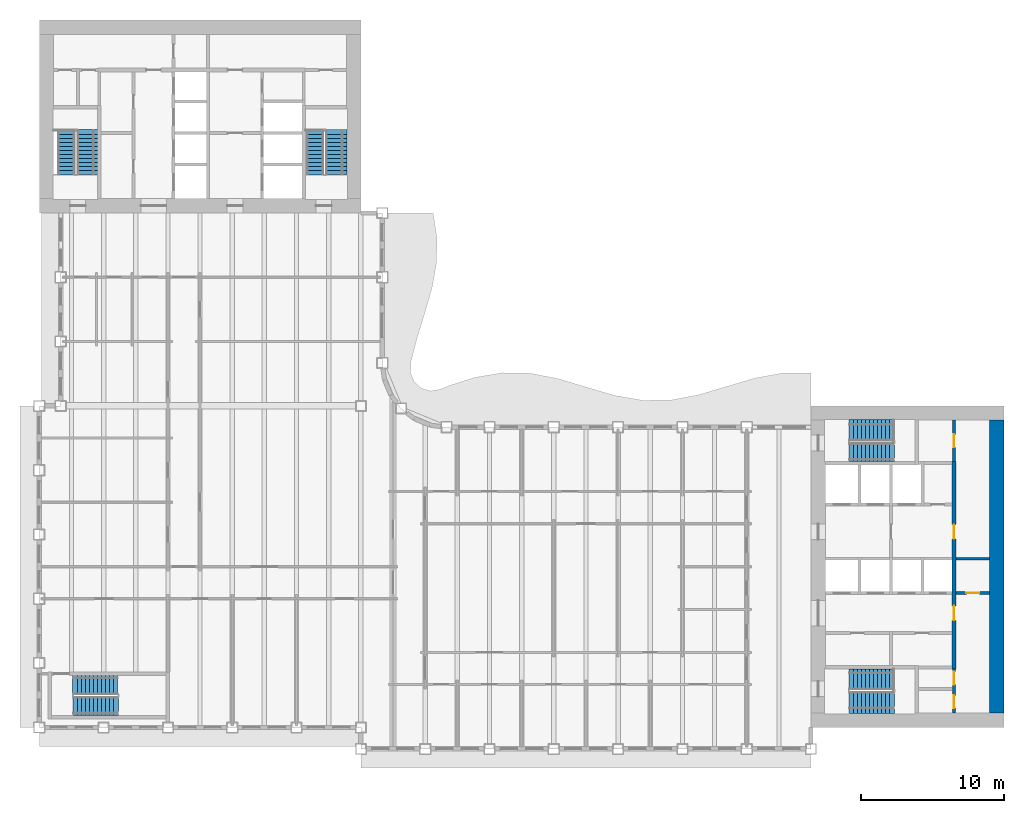
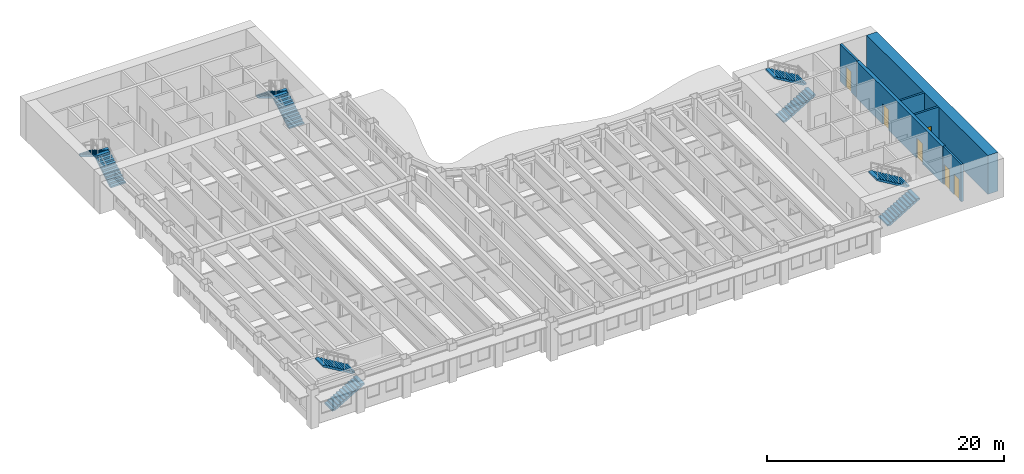
# One storey, part 11 of 17: 10 stair flights, 6 doors, 6 walls, 6 openings, 5 elements without a shape of their own.
"""IFC4 building model written with IfcOpenShell, lengths in metres."""

from ifc_helpers import new_model, si_unit, direction, frame, frame_2d, origin, place, context, subcontext, project, spatial, polyline, rectangle, outline, extrude, material, layer, layer_set, type_object, element, fill, aggregate, save


model = new_model("IFC4")

# Units and contexts
model_context = context("Model", 3, precision=1e-05, world=origin(), true_north=direction((0.0, 1.0)))
body_context = subcontext(model_context, "Body", "Model", "MODEL_VIEW")
ifc_project = project(units=[si_unit("LENGTHUNIT", "METRE"), si_unit("AREAUNIT", "SQUARE_METRE"), si_unit("VOLUMEUNIT", "CUBIC_METRE"), si_unit("PLANEANGLEUNIT", "RADIAN"), si_unit("MASSUNIT", "GRAM", prefix="KILO")], contexts=[model_context])

# Site, building, storey
site_placement = place(None, origin())
site = spatial("IfcSite", under=ifc_project, at=site_placement, CompositionType="ELEMENT")
building_placement = place(site_placement, origin())
building = spatial("IfcBuilding", under=site, at=building_placement, Name="Sennacour Bend Tower", CompositionType="ELEMENT")
storey_placement = place(building_placement, frame((0.0, 0.0, 203.0)))
storey = spatial("IfcBuildingStorey", under=building, at=storey_placement, Name="L46", CompositionType="ELEMENT", Elevation=203.0)

# Wall
ifc_material_1 = material(Name="Concrete C60/75", Category="concrete")
ifc_layer_1 = layer(ifc_material_1, 1.0, Name="Concrete C60/75", Category="concrete")
ifc_layer_set_1 = layer_set([ifc_layer_1], Name="Concrete C60/75")
wall_type_1 = type_object("IfcWallType", Name="Core wall 1000 C60/75", PredefinedType="SHEAR", material=ifc_layer_set_1)
wall_1_placement = place(storey_placement, frame((67.0, 1.0, -0.14990234375), z_axis=(0.0, 0.0, 1.0), x_axis=(0.0, 1.0, 0.0)))
element("IfcWall", 1, at=wall_1_placement, inside=storey, type_object=wall_type_1, Name="Core A wall L46 E", PredefinedType="SHEAR", context=body_context, shape_type="SweptSolid", body=[
    extrude(rectangle(XDim=20.5, YDim=1.0, at=frame_2d((10.25, 0.0))), origin(), (0.0, 0.0, 1.0), 4.0),
])

# Wall, openings, doors
ifc_material_2 = material(Name="Fire-rated plasterboard partition on steel studs", Category="steel")
ifc_layer_2 = layer(ifc_material_2, 0.199951171875, Name="Fire-rated plasterboard partition on steel studs", Category="steel")
ifc_layer_set_2 = layer_set([ifc_layer_2], Name="Fire-rated plasterboard partition on steel studs")
wall_type_2 = type_object("IfcWallType", Name="Rated partition 200", PredefinedType="PARTITIONING", material=ifc_layer_set_2)
wall_2_placement = place(storey_placement, frame((64.0, 1.0, 0.0), z_axis=(0.0, 0.0, 1.0), x_axis=(0.0, 1.0, 0.0)))
wall_2 = element("IfcWall", 2, at=wall_2_placement, inside=storey, type_object=wall_type_2, Name="P-L46-W052", PredefinedType="PARTITIONING", context=body_context, shape_type="SweptSolid", body=[
    extrude(rectangle(XDim=3.10009765625, YDim=0.199951171875, at=frame_2d((1.550048828125, 0.0))), origin(), (0.0, 0.0, 1.0), 3.85009765625),
])
opening_1_placement = place(wall_2_placement, frame((0.35009765625, 0.0, 0.0)))
opening_1 = element("IfcOpeningElement", 3, at=opening_1_placement, cuts=wall_2, Name="Opening SV", PredefinedType="OPENING", context=body_context, shape_type="SweptSolid", body=[
    extrude(rectangle(XDim=0.89990234375, YDim=2.10009765625, at=frame_2d((0.449951171875, 1.050048828125))), frame((0.0, 0.10986328125, 0.0), z_axis=(0.0, -1.0, 0.0), x_axis=(1.0, 0.0, 0.0)), (0.0, 0.0, 1.0), 0.219970703125),
])
opening_2_placement = place(wall_2_placement, frame((2.0, 0.0, 0.0)))
opening_2 = element("IfcOpeningElement", 4, at=opening_2_placement, cuts=wall_2, Name="Opening SV", PredefinedType="OPENING", context=body_context, shape_type="SweptSolid", body=[
    extrude(rectangle(XDim=0.89990234375, YDim=2.10009765625, at=frame_2d((0.449951171875, 1.050048828125))), frame((0.0, 0.10986328125, 0.0), z_axis=(0.0, -1.0, 0.0), x_axis=(1.0, 0.0, 0.0)), (0.0, 0.0, 1.0), 0.219970703125),
])
ifc_material_3 = material(Name="Painted steel", Category="steel")
door_type_1 = type_object("IfcDoorType", Name="DR-SERVICE-900", OperationType="NOTDEFINED", PredefinedType="DOOR", material=ifc_material_3)
door_1_placement = place(opening_1_placement, origin())
door_1 = element("IfcDoor", 5, at=door_1_placement, inside=storey, type_object=door_type_1, Name="Door", OperationType="SINGLE_SWING_LEFT", OverallHeight=2.10009765625, OverallWidth=0.89990234375, PredefinedType="DOOR", context=body_context, shape_type="SweptSolid", body=[
    extrude(rectangle(XDim=0.89990234375, YDim=2.10009765625, at=frame_2d((0.449951171875, 1.050048828125))), frame((0.0, 0.02490234375, 0.0), z_axis=(0.0, -1.0, 0.0), x_axis=(1.0, 0.0, 0.0)), (0.0, 0.0, 1.0), 0.050048828125),
])
fill(opening_1, door_1)
door_2_placement = place(opening_2_placement, origin())
door_2 = element("IfcDoor", 6, at=door_2_placement, inside=storey, type_object=door_type_1, Name="Door", OperationType="SINGLE_SWING_RIGHT", OverallHeight=2.10009765625, OverallWidth=0.89990234375, PredefinedType="DOOR", context=body_context, shape_type="SweptSolid", body=[
    extrude(rectangle(XDim=0.89990234375, YDim=2.10009765625, at=frame_2d((0.449951171875, 1.050048828125))), frame((0.0, 0.02490234375, 0.0), z_axis=(0.0, -1.0, 0.0), x_axis=(1.0, 0.0, 0.0)), (0.0, 0.0, 1.0), 0.050048828125),
])
fill(opening_2, door_2)

# Wall, opening, door
wall_3_placement = place(storey_placement, frame((64.0, 18.60009765625, 0.0), z_axis=(0.0, 0.0, 1.0), x_axis=(0.0, 1.0, 0.0)))
wall_3 = element("IfcWall", 7, at=wall_3_placement, inside=storey, type_object=wall_type_2, Name="P-L46-W054", PredefinedType="PARTITIONING", context=body_context, shape_type="SweptSolid", body=[
    extrude(rectangle(XDim=2.89990234375, YDim=0.199951171875, at=frame_2d((1.449951171875, 0.0))), origin(), (0.0, 0.0, 1.0), 3.85009765625),
])
opening_3_placement = place(wall_3_placement, frame((1.0, 0.0, 0.0)))
opening_3 = element("IfcOpeningElement", 8, at=opening_3_placement, cuts=wall_3, Name="Opening WD", PredefinedType="OPENING", context=body_context, shape_type="SweptSolid", body=[
    extrude(rectangle(XDim=0.89990234375, YDim=2.10009765625, at=frame_2d((0.449951171875, 1.050048828125))), frame((0.0, 0.10986328125, 0.0), z_axis=(0.0, -1.0, 0.0), x_axis=(1.0, 0.0, 0.0)), (0.0, 0.0, 1.0), 0.219970703125),
])
ifc_material_4 = material(Name="Timber", Category="wood")
door_type_2 = type_object("IfcDoorType", Name="DR-WC-900", OperationType="NOTDEFINED", PredefinedType="DOOR", material=ifc_material_4)
door_3_placement = place(opening_3_placement, origin())
door_3 = element("IfcDoor", 9, at=door_3_placement, inside=storey, type_object=door_type_2, Name="Door", OperationType="SINGLE_SWING_LEFT", OverallHeight=2.10009765625, OverallWidth=0.89990234375, PredefinedType="DOOR", context=body_context, shape_type="SweptSolid", body=[
    extrude(rectangle(XDim=0.89990234375, YDim=2.10009765625, at=frame_2d((0.449951171875, 1.050048828125))), frame((0.0, 0.02490234375, 0.0), z_axis=(0.0, -1.0, 0.0), x_axis=(1.0, 0.0, 0.0)), (0.0, 0.0, 1.0), 0.050048828125),
])
fill(opening_3, door_3)

wall_4_placement = place(storey_placement, frame((64.14990234375, 9.39990234375, 0.0), z_axis=(0.0, 0.0, 1.0), x_axis=(1.0, 0.0, 0.0)))
wall_4 = element("IfcWall", 10, at=wall_4_placement, inside=storey, type_object=wall_type_2, Name="P-L46-W068", PredefinedType="PARTITIONING", context=body_context, shape_type="SweptSolid", body=[
    extrude(rectangle(XDim=2.35009765625, YDim=0.199951171875, at=frame_2d((1.175048828125, 0.0))), origin(), (0.0, 0.0, 1.0), 3.85009765625),
])
opening_4_placement = place(wall_4_placement, frame((0.72509765625, 0.0, 0.0)))
opening_4 = element("IfcOpeningElement", 11, at=opening_4_placement, cuts=wall_4, Name="Opening SV", PredefinedType="OPENING", context=body_context, shape_type="SweptSolid", body=[
    extrude(rectangle(XDim=0.89990234375, YDim=2.10009765625, at=frame_2d((0.449951171875, 1.050048828125))), frame((0.0, 0.10986328125, 0.0), z_axis=(0.0, -1.0, 0.0), x_axis=(1.0, 0.0, 0.0)), (0.0, 0.0, 1.0), 0.219970703125),
])
door_4_placement = place(opening_4_placement, origin())
door_4 = element("IfcDoor", 12, at=door_4_placement, inside=storey, type_object=door_type_1, Name="Door", OperationType="SINGLE_SWING_LEFT", OverallHeight=2.10009765625, OverallWidth=0.89990234375, PredefinedType="DOOR", context=body_context, shape_type="SweptSolid", body=[
    extrude(rectangle(XDim=0.89990234375, YDim=2.10009765625, at=frame_2d((0.449951171875, 1.050048828125))), frame((0.0, 0.02490234375, 0.0), z_axis=(0.0, -1.0, 0.0), x_axis=(1.0, 0.0, 0.0)), (0.0, 0.0, 1.0), 0.050048828125),
])
fill(opening_4, door_4)

# Wall
wall_5_placement = place(storey_placement, frame((64.14990234375, 11.800048828125, 0.0), z_axis=(0.0, 0.0, 1.0), x_axis=(1.0, 0.0, 0.0)))
element("IfcWall", 13, at=wall_5_placement, inside=storey, type_object=wall_type_2, Name="P-L46-W072", PredefinedType="PARTITIONING", context=body_context, shape_type="SweptSolid", body=[
    extrude(rectangle(XDim=2.35009765625, YDim=0.199951171875, at=frame_2d((1.175048828125, 0.0))), origin(), (0.0, 0.0, 1.0), 3.85009765625),
])

# Wall, openings, doors
ifc_layer_3 = layer(ifc_material_1, 0.300048828125, Name="Concrete C60/75", Category="concrete")
ifc_layer_set_3 = layer_set([ifc_layer_3], Name="Concrete C60/75")
wall_type_3 = type_object("IfcWallType", Name="Spine wall 300", PredefinedType="SHEAR", material=ifc_layer_set_3)
wall_6_placement = place(storey_placement, frame((64.0, 4.10009765625, 0.0), z_axis=(0.0, 0.0, 1.0), x_axis=(0.0, 1.0, 0.0)))
wall_6 = element("IfcWall", 14, at=wall_6_placement, inside=storey, type_object=wall_type_3, Name="P-L46-W053", PredefinedType="SHEAR", context=body_context, shape_type="SweptSolid", body=[
    extrude(rectangle(XDim=14.5, YDim=0.300048828125, at=frame_2d((7.25, 0.0))), origin(), (0.0, 0.0, 1.0), 3.85009765625),
])
opening_5_placement = place(wall_6_placement, frame((3.39990234375, 0.0, 0.0)))
opening_5 = element("IfcOpeningElement", 15, at=opening_5_placement, cuts=wall_6, Name="Opening CD2", PredefinedType="OPENING", context=body_context, shape_type="SweptSolid", body=[
    extrude(rectangle(XDim=1.0, YDim=2.10009765625, at=frame_2d((0.5, 1.050048828125))), frame((0.0, 0.16015625, 0.0), z_axis=(0.0, -1.0, 0.0), x_axis=(1.0, 0.0, 0.0)), (0.0, 0.0, 1.0), 0.320068359375),
])
opening_6_placement = place(wall_6_placement, frame((9.099853515625, 0.0, 0.0)))
opening_6 = element("IfcOpeningElement", 16, at=opening_6_placement, cuts=wall_6, Name="Opening CD2", PredefinedType="OPENING", context=body_context, shape_type="SweptSolid", body=[
    extrude(rectangle(XDim=1.0, YDim=2.10009765625, at=frame_2d((0.5, 1.050048828125))), frame((0.0, 0.16015625, 0.0), z_axis=(0.0, -1.0, 0.0), x_axis=(1.0, 0.0, 0.0)), (0.0, 0.0, 1.0), 0.320068359375),
])
door_type_3 = type_object("IfcDoorType", Name="DR-LOBBY-1000", OperationType="NOTDEFINED", PredefinedType="DOOR", material=ifc_material_3)
door_5_placement = place(opening_5_placement, origin())
door_5 = element("IfcDoor", 17, at=door_5_placement, inside=storey, type_object=door_type_3, Name="Door", OperationType="SINGLE_SWING_LEFT", OverallHeight=2.10009765625, OverallWidth=1.0, PredefinedType="DOOR", context=body_context, shape_type="SweptSolid", body=[
    extrude(rectangle(XDim=1.0, YDim=2.10009765625, at=frame_2d((0.5, 1.050048828125))), frame((0.0, 0.02490234375, 0.0), z_axis=(0.0, -1.0, 0.0), x_axis=(1.0, 0.0, 0.0)), (0.0, 0.0, 1.0), 0.050048828125),
])
fill(opening_5, door_5)
door_6_placement = place(opening_6_placement, origin())
door_6 = element("IfcDoor", 18, at=door_6_placement, inside=storey, type_object=door_type_3, Name="Door", OperationType="SINGLE_SWING_RIGHT", OverallHeight=2.10009765625, OverallWidth=1.0, PredefinedType="DOOR", context=body_context, shape_type="SweptSolid", body=[
    extrude(rectangle(XDim=1.0, YDim=2.10009765625, at=frame_2d((0.5, 1.050048828125))), frame((0.0, 0.02490234375, 0.0), z_axis=(0.0, -1.0, 0.0), x_axis=(1.0, 0.0, 0.0)), (0.0, 0.0, 1.0), 0.050048828125),
])
fill(opening_6, door_6)

# Stair, stair flights
ifc_material_5 = material(Name="Concrete C40/50", Category="concrete")
stair_type = type_object("IfcStairType", Name="ST-DOGLEG", PredefinedType="HALF_TURN_STAIR", material=ifc_material_5)
stair_1_placement = place(storey_placement, origin())
stair_1 = element("IfcStair", 19, at=stair_1_placement, inside=storey, type_object=stair_type, Name="L46 Exit stair A1", PredefinedType="HALF_TURN_STAIR")
stair_flight_type = type_object("IfcStairFlightType", Name="SFL-RC", PredefinedType="STRAIGHT", material=ifc_material_5)
stair_flight_1_placement = place(storey_placement, frame((56.699951171875, 1.735107421875, 0.0), z_axis=(0.0, 0.0, 1.0), x_axis=(1.0, 0.0, 0.0)))
stair_flight_1 = element("IfcStairFlight", 20, at=stair_flight_1_placement, type_object=stair_flight_type, Name="SA1 flight 1", NumberOfRisers=12, NumberOfTreads=11, PredefinedType="STRAIGHT", RiserHeight=0.166666667, TreadLength=0.28, context=body_context, shape_type="SweptSolid", body=[
    extrude(outline(polyline([(0.0, 0.0), (0.0, 0.166748046875), (0.280029296875, 0.166748046875), (0.280029296875, 0.333251953125), (0.56005859375, 0.333251953125), (0.56005859375, 0.5), (0.840087890625, 0.5), (0.840087890625, 0.666748046875), (1.1201171875, 0.666748046875), (1.1201171875, 0.833251953125), (1.39990234375, 0.833251953125), (1.39990234375, 1.0), (1.679931640625, 1.0), (1.679931640625, 1.166748046875), (1.9599609375, 1.166748046875), (1.9599609375, 1.333251953125), (2.239990234375, 1.333251953125), (2.239990234375, 1.5), (2.52001953125, 1.5), (2.52001953125, 1.666748046875), (2.800048828125, 1.666748046875), (2.800048828125, 1.833251953125), (3.080078125, 1.833251953125), (3.139892578125, 1.833251953125), (3.139892578125, 1.658935546875), (3.080078125, 1.658935546875), (0.29296875, 0.0), (0.0, 0.0)])), frame((0.0, 0.76513671875, 0.0), z_axis=(0.0, -1.0, 0.0), x_axis=(1.0, 0.0, 0.0)), (0.0, 0.0, 1.0), 1.530029296875),
])
stair_flight_2_placement = place(storey_placement, frame((59.780029296875, 3.37744140625, 2.0), z_axis=(0.0, 0.0, 1.0), x_axis=(-1.0, 0.0, 0.0)))
stair_flight_2 = element("IfcStairFlight", 21, at=stair_flight_2_placement, type_object=stair_flight_type, Name="SA1 flight 2", NumberOfRisers=12, NumberOfTreads=11, PredefinedType="STRAIGHT", RiserHeight=0.166666667, TreadLength=0.28, context=body_context, shape_type="SweptSolid", body=[
    extrude(outline(polyline([(0.0, 0.0), (0.0, 0.166748046875), (0.280029296875, 0.166748046875), (0.280029296875, 0.333251953125), (0.56005859375, 0.333251953125), (0.56005859375, 0.5), (0.840087890625, 0.5), (0.840087890625, 0.666748046875), (1.1201171875, 0.666748046875), (1.1201171875, 0.833251953125), (1.39990234375, 0.833251953125), (1.39990234375, 1.0), (1.679931640625, 1.0), (1.679931640625, 1.166748046875), (1.9599609375, 1.166748046875), (1.9599609375, 1.333251953125), (2.239990234375, 1.333251953125), (2.239990234375, 1.5), (2.52001953125, 1.5), (2.52001953125, 1.666748046875), (2.800048828125, 1.666748046875), (2.800048828125, 1.833251953125), (3.080078125, 1.833251953125), (3.139892578125, 1.833251953125), (3.139892578125, 1.658935546875), (3.080078125, 1.658935546875), (0.29296875, 0.0), (0.0, 0.0)])), frame((0.0, 0.7275390625, 0.0), z_axis=(0.0, -1.0, 0.0), x_axis=(1.0, 0.0, 0.0)), (0.0, 0.0, 1.0), 1.455078125),
])
aggregate(stair_1, [stair_flight_1, stair_flight_2])

stair_2_placement = place(storey_placement, origin())
stair_2 = element("IfcStair", 22, at=stair_2_placement, inside=storey, type_object=stair_type, Name="L46 Exit stair A2", PredefinedType="HALF_TURN_STAIR")
stair_flight_3_placement = place(storey_placement, frame((56.699951171875, 19.24755859375, 0.0), z_axis=(0.0, 0.0, 1.0), x_axis=(1.0, 0.0, 0.0)))
stair_flight_3 = element("IfcStairFlight", 23, at=stair_flight_3_placement, type_object=stair_flight_type, Name="SA2 flight 1", NumberOfRisers=12, NumberOfTreads=11, PredefinedType="STRAIGHT", RiserHeight=0.166666667, TreadLength=0.28, context=body_context, shape_type="SweptSolid", body=[
    extrude(outline(polyline([(0.0, 0.0), (0.0, 0.166748046875), (0.280029296875, 0.166748046875), (0.280029296875, 0.333251953125), (0.56005859375, 0.333251953125), (0.56005859375, 0.5), (0.840087890625, 0.5), (0.840087890625, 0.666748046875), (1.1201171875, 0.666748046875), (1.1201171875, 0.833251953125), (1.39990234375, 0.833251953125), (1.39990234375, 1.0), (1.679931640625, 1.0), (1.679931640625, 1.166748046875), (1.9599609375, 1.166748046875), (1.9599609375, 1.333251953125), (2.239990234375, 1.333251953125), (2.239990234375, 1.5), (2.52001953125, 1.5), (2.52001953125, 1.666748046875), (2.800048828125, 1.666748046875), (2.800048828125, 1.833251953125), (3.080078125, 1.833251953125), (3.139892578125, 1.833251953125), (3.139892578125, 1.658935546875), (3.080078125, 1.658935546875), (0.29296875, 0.0), (0.0, 0.0)])), frame((0.0, 0.65234375, 0.0), z_axis=(0.0, -1.0, 0.0), x_axis=(1.0, 0.0, 0.0)), (0.0, 0.0, 1.0), 1.304931640625),
])
stair_flight_4_placement = place(storey_placement, frame((59.780029296875, 20.7900390625, 2.0), z_axis=(0.0, 0.0, 1.0), x_axis=(-1.0, 0.0, 0.0)))
stair_flight_4 = element("IfcStairFlight", 24, at=stair_flight_4_placement, type_object=stair_flight_type, Name="SA2 flight 2", NumberOfRisers=12, NumberOfTreads=11, PredefinedType="STRAIGHT", RiserHeight=0.166666667, TreadLength=0.28, context=body_context, shape_type="SweptSolid", body=[
    extrude(outline(polyline([(0.0, 0.0), (0.0, 0.166748046875), (0.280029296875, 0.166748046875), (0.280029296875, 0.333251953125), (0.56005859375, 0.333251953125), (0.56005859375, 0.5), (0.840087890625, 0.5), (0.840087890625, 0.666748046875), (1.1201171875, 0.666748046875), (1.1201171875, 0.833251953125), (1.39990234375, 0.833251953125), (1.39990234375, 1.0), (1.679931640625, 1.0), (1.679931640625, 1.166748046875), (1.9599609375, 1.166748046875), (1.9599609375, 1.333251953125), (2.239990234375, 1.333251953125), (2.239990234375, 1.5), (2.52001953125, 1.5), (2.52001953125, 1.666748046875), (2.800048828125, 1.666748046875), (2.800048828125, 1.833251953125), (3.080078125, 1.833251953125), (3.139892578125, 1.833251953125), (3.139892578125, 1.658935546875), (3.080078125, 1.658935546875), (0.29296875, 0.0), (0.0, 0.0)])), frame((0.0, 0.739990234375, 0.0), z_axis=(0.0, -1.0, 0.0), x_axis=(1.0, 0.0, 0.0)), (0.0, 0.0, 1.0), 1.47998046875),
])
aggregate(stair_2, [stair_flight_3, stair_flight_4])

stair_3_placement = place(storey_placement, origin())
stair_3 = element("IfcStair", 25, at=stair_3_placement, inside=storey, type_object=stair_type, Name="L46 Exit stair B1", PredefinedType="HALF_TURN_STAIR")
stair_flight_5_placement = place(storey_placement, frame((3.37744140625, 38.699951171875, 0.0), z_axis=(0.0, 0.0, 1.0), x_axis=(0.0, 1.0, 0.0)))
stair_flight_5 = element("IfcStairFlight", 26, at=stair_flight_5_placement, type_object=stair_flight_type, Name="SB1 flight 1", NumberOfRisers=12, NumberOfTreads=11, PredefinedType="STRAIGHT", RiserHeight=0.166666667, TreadLength=0.28, context=body_context, shape_type="SweptSolid", body=[
    extrude(outline(polyline([(0.0, 0.0), (0.0, 0.166748046875), (0.280029296875, 0.166748046875), (0.280029296875, 0.333251953125), (0.56005859375, 0.333251953125), (0.56005859375, 0.5), (0.840087890625, 0.5), (0.840087890625, 0.666748046875), (1.1201171875, 0.666748046875), (1.1201171875, 0.833251953125), (1.39990234375, 0.833251953125), (1.39990234375, 1.0), (1.679931640625, 1.0), (1.679931640625, 1.166748046875), (1.9599609375, 1.166748046875), (1.9599609375, 1.333251953125), (2.239990234375, 1.333251953125), (2.239990234375, 1.5), (2.52001953125, 1.5), (2.52001953125, 1.666748046875), (2.800048828125, 1.666748046875), (2.800048828125, 1.833251953125), (3.080078125, 1.833251953125), (3.139892578125, 1.833251953125), (3.139892578125, 1.658935546875), (3.080078125, 1.658935546875), (0.29296875, 0.0), (0.0, 0.0)])), frame((0.0, 0.7275390625, 0.0), z_axis=(0.0, -1.0, 0.0), x_axis=(1.0, 0.0, 0.0)), (0.0, 0.0, 1.0), 1.455078125),
])
stair_flight_6_placement = place(storey_placement, frame((1.89990234375, 41.780029296875, 2.0), z_axis=(0.0, 0.0, 1.0), x_axis=(0.0, -1.0, 0.0)))
stair_flight_6 = element("IfcStairFlight", 27, at=stair_flight_6_placement, type_object=stair_flight_type, Name="SB1 flight 2", NumberOfRisers=12, NumberOfTreads=11, PredefinedType="STRAIGHT", RiserHeight=0.166666667, TreadLength=0.28, context=body_context, shape_type="SweptSolid", body=[
    extrude(outline(polyline([(0.0, 0.0), (0.0, 0.166748046875), (0.280029296875, 0.166748046875), (0.280029296875, 0.333251953125), (0.56005859375, 0.333251953125), (0.56005859375, 0.5), (0.840087890625, 0.5), (0.840087890625, 0.666748046875), (1.1201171875, 0.666748046875), (1.1201171875, 0.833251953125), (1.39990234375, 0.833251953125), (1.39990234375, 1.0), (1.679931640625, 1.0), (1.679931640625, 1.166748046875), (1.9599609375, 1.166748046875), (1.9599609375, 1.333251953125), (2.239990234375, 1.333251953125), (2.239990234375, 1.5), (2.52001953125, 1.5), (2.52001953125, 1.666748046875), (2.800048828125, 1.666748046875), (2.800048828125, 1.833251953125), (3.080078125, 1.833251953125), (3.139892578125, 1.833251953125), (3.139892578125, 1.658935546875), (3.080078125, 1.658935546875), (0.29296875, 0.0), (0.0, 0.0)])), frame((0.0, 0.60009765625, 0.0), z_axis=(0.0, -1.0, 0.0), x_axis=(1.0, 0.0, 0.0)), (0.0, 0.0, 1.0), 1.199951171875),
])
aggregate(stair_3, [stair_flight_5, stair_flight_6])

stair_4_placement = place(storey_placement, origin())
stair_4 = element("IfcStair", 28, at=stair_4_placement, inside=storey, type_object=stair_type, Name="L46 Exit stair B2", PredefinedType="HALF_TURN_STAIR")
stair_flight_7_placement = place(storey_placement, frame((20.7900390625, 38.699951171875, 0.0), z_axis=(0.0, 0.0, 1.0), x_axis=(0.0, 1.0, 0.0)))
stair_flight_7 = element("IfcStairFlight", 29, at=stair_flight_7_placement, type_object=stair_flight_type, Name="SB2 flight 1", NumberOfRisers=12, NumberOfTreads=11, PredefinedType="STRAIGHT", RiserHeight=0.166666667, TreadLength=0.28, context=body_context, shape_type="SweptSolid", body=[
    extrude(outline(polyline([(0.0, 0.0), (0.0, 0.166748046875), (0.280029296875, 0.166748046875), (0.280029296875, 0.333251953125), (0.56005859375, 0.333251953125), (0.56005859375, 0.5), (0.840087890625, 0.5), (0.840087890625, 0.666748046875), (1.1201171875, 0.666748046875), (1.1201171875, 0.833251953125), (1.39990234375, 0.833251953125), (1.39990234375, 1.0), (1.679931640625, 1.0), (1.679931640625, 1.166748046875), (1.9599609375, 1.166748046875), (1.9599609375, 1.333251953125), (2.239990234375, 1.333251953125), (2.239990234375, 1.5), (2.52001953125, 1.5), (2.52001953125, 1.666748046875), (2.800048828125, 1.666748046875), (2.800048828125, 1.833251953125), (3.080078125, 1.833251953125), (3.139892578125, 1.833251953125), (3.139892578125, 1.658935546875), (3.080078125, 1.658935546875), (0.29296875, 0.0), (0.0, 0.0)])), frame((0.0, 0.739990234375, 0.0), z_axis=(0.0, -1.0, 0.0), x_axis=(1.0, 0.0, 0.0)), (0.0, 0.0, 1.0), 1.47998046875),
])
stair_flight_8_placement = place(storey_placement, frame((19.24755859375, 41.780029296875, 2.0), z_axis=(0.0, 0.0, 1.0), x_axis=(0.0, -1.0, 0.0)))
stair_flight_8 = element("IfcStairFlight", 30, at=stair_flight_8_placement, type_object=stair_flight_type, Name="SB2 flight 2", NumberOfRisers=12, NumberOfTreads=11, PredefinedType="STRAIGHT", RiserHeight=0.166666667, TreadLength=0.28, context=body_context, shape_type="SweptSolid", body=[
    extrude(outline(polyline([(0.0, 0.0), (0.0, 0.166748046875), (0.280029296875, 0.166748046875), (0.280029296875, 0.333251953125), (0.56005859375, 0.333251953125), (0.56005859375, 0.5), (0.840087890625, 0.5), (0.840087890625, 0.666748046875), (1.1201171875, 0.666748046875), (1.1201171875, 0.833251953125), (1.39990234375, 0.833251953125), (1.39990234375, 1.0), (1.679931640625, 1.0), (1.679931640625, 1.166748046875), (1.9599609375, 1.166748046875), (1.9599609375, 1.333251953125), (2.239990234375, 1.333251953125), (2.239990234375, 1.5), (2.52001953125, 1.5), (2.52001953125, 1.666748046875), (2.800048828125, 1.666748046875), (2.800048828125, 1.833251953125), (3.080078125, 1.833251953125), (3.139892578125, 1.833251953125), (3.139892578125, 1.658935546875), (3.080078125, 1.658935546875), (0.29296875, 0.0), (0.0, 0.0)])), frame((0.0, 0.65234375, 0.0), z_axis=(0.0, -1.0, 0.0), x_axis=(1.0, 0.0, 0.0)), (0.0, 0.0, 1.0), 1.304931640625),
])
aggregate(stair_4, [stair_flight_7, stair_flight_8])

stair_5_placement = place(storey_placement, origin())
stair_5 = element("IfcStair", 31, at=stair_5_placement, inside=storey, type_object=stair_type, Name="L46 Exit stair K1", PredefinedType="HALF_TURN_STAIR")
stair_flight_9_placement = place(storey_placement, frame((2.39990234375, 1.485107421875, 0.0), z_axis=(0.0, 0.0, 1.0), x_axis=(1.0, 0.0, 0.0)))
stair_flight_9 = element("IfcStairFlight", 32, at=stair_flight_9_placement, type_object=stair_flight_type, Name="SK1 flight 1", NumberOfRisers=12, NumberOfTreads=11, PredefinedType="STRAIGHT", RiserHeight=0.166666667, TreadLength=0.28, context=body_context, shape_type="SweptSolid", body=[
    extrude(outline(polyline([(0.0, 0.0), (0.0, 0.166748046875), (0.280029296875, 0.166748046875), (0.280029296875, 0.333251953125), (0.56005859375, 0.333251953125), (0.56005859375, 0.5), (0.840087890625, 0.5), (0.840087890625, 0.666748046875), (1.1201171875, 0.666748046875), (1.1201171875, 0.833251953125), (1.39990234375, 0.833251953125), (1.39990234375, 1.0), (1.679931640625, 1.0), (1.679931640625, 1.166748046875), (1.9599609375, 1.166748046875), (1.9599609375, 1.333251953125), (2.239990234375, 1.333251953125), (2.239990234375, 1.5), (2.52001953125, 1.5), (2.52001953125, 1.666748046875), (2.800048828125, 1.666748046875), (2.800048828125, 1.833251953125), (3.080078125, 1.833251953125), (3.139892578125, 1.833251953125), (3.139892578125, 1.658935546875), (3.080078125, 1.658935546875), (0.29296875, 0.0), (0.0, 0.0)])), frame((0.0, 0.6650390625, 0.0), z_axis=(0.0, -1.0, 0.0), x_axis=(1.0, 0.0, 0.0)), (0.0, 0.0, 1.0), 1.330078125),
])
stair_flight_10_placement = place(storey_placement, frame((5.47998046875, 2.9775390625, 2.0), z_axis=(0.0, 0.0, 1.0), x_axis=(-1.0, 0.0, 0.0)))
stair_flight_10 = element("IfcStairFlight", 33, at=stair_flight_10_placement, type_object=stair_flight_type, Name="SK1 flight 2", NumberOfRisers=12, NumberOfTreads=11, PredefinedType="STRAIGHT", RiserHeight=0.166666667, TreadLength=0.28, context=body_context, shape_type="SweptSolid", body=[
    extrude(outline(polyline([(0.0, 0.0), (0.0, 0.166748046875), (0.280029296875, 0.166748046875), (0.280029296875, 0.333251953125), (0.56005859375, 0.333251953125), (0.56005859375, 0.5), (0.840087890625, 0.5), (0.840087890625, 0.666748046875), (1.1201171875, 0.666748046875), (1.1201171875, 0.833251953125), (1.39990234375, 0.833251953125), (1.39990234375, 1.0), (1.679931640625, 1.0), (1.679931640625, 1.166748046875), (1.9599609375, 1.166748046875), (1.9599609375, 1.333251953125), (2.239990234375, 1.333251953125), (2.239990234375, 1.5), (2.52001953125, 1.5), (2.52001953125, 1.666748046875), (2.800048828125, 1.666748046875), (2.800048828125, 1.833251953125), (3.080078125, 1.833251953125), (3.139892578125, 1.833251953125), (3.139892578125, 1.658935546875), (3.080078125, 1.658935546875), (0.29296875, 0.0), (0.0, 0.0)])), frame((0.0, 0.677490234375, 0.0), z_axis=(0.0, -1.0, 0.0), x_axis=(1.0, 0.0, 0.0)), (0.0, 0.0, 1.0), 1.35498046875),
])
aggregate(stair_5, [stair_flight_9, stair_flight_10])

save(model, "model.ifc")
